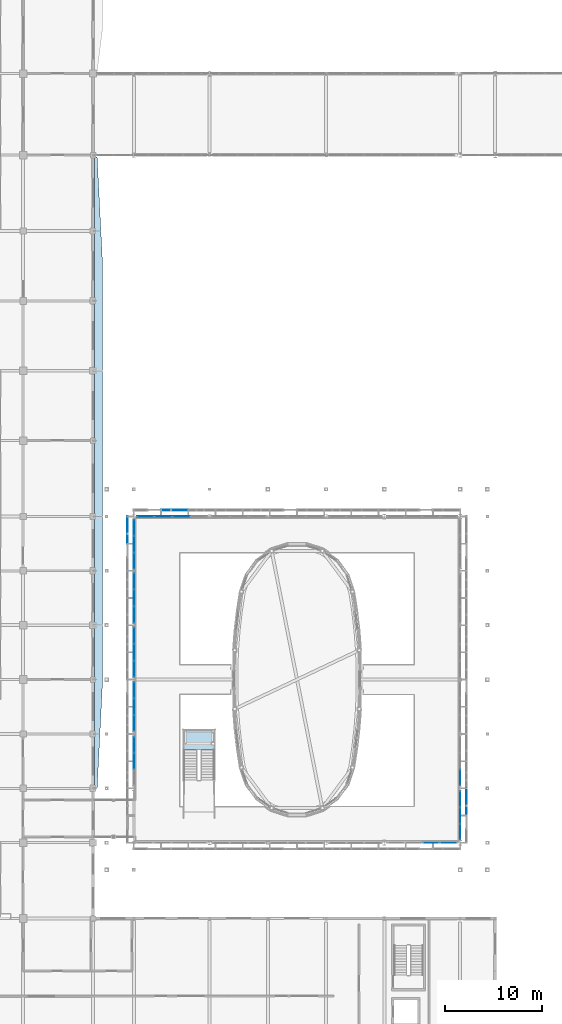
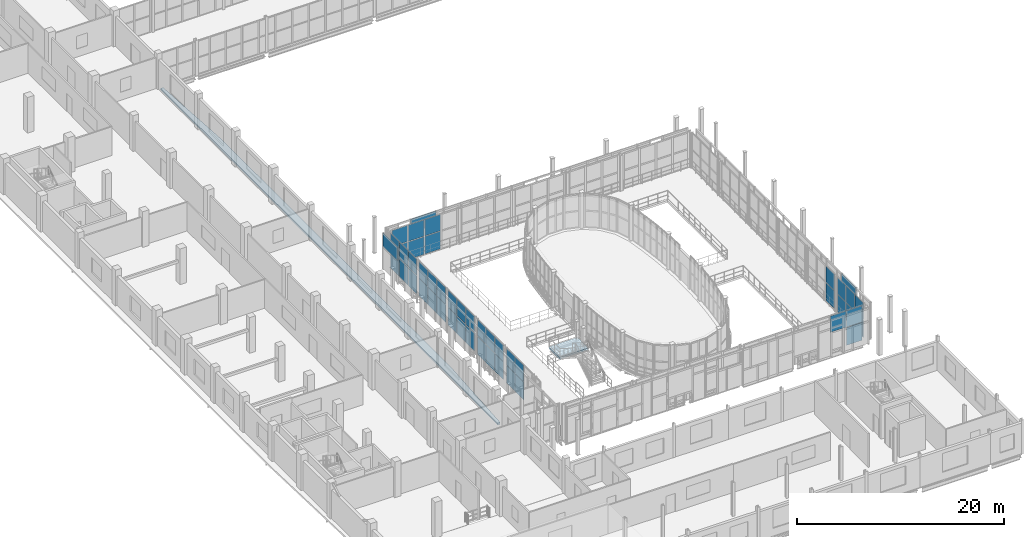
# One storey, part 81 of 121: 48 plates, 2 slabs, 10 elements without a shape of their own.
"""IFC4 building model written with IfcOpenShell, lengths in metres."""

from ifc_helpers import new_model, si_unit, direction, frame, origin, origin_2d, place, context, subcontext, project, spatial, polyline, rectangle, outline, extrude, material, layer, layer_set, type_object, element, aggregate, save


model = new_model("IFC4")

# Units and contexts
model_context = context("Model", 3, precision=1e-05, world=origin(), true_north=direction((0.0, 1.0)))
body_context = subcontext(model_context, "Body", "Model", "MODEL_VIEW")
ifc_project = project(units=[si_unit("LENGTHUNIT", "METRE"), si_unit("AREAUNIT", "SQUARE_METRE"), si_unit("VOLUMEUNIT", "CUBIC_METRE"), si_unit("PLANEANGLEUNIT", "RADIAN"), si_unit("MASSUNIT", "GRAM", prefix="KILO")], contexts=[model_context])

# Site, building, storey
site_placement = place(None, origin())
site = spatial("IfcSite", under=ifc_project, at=site_placement, CompositionType="ELEMENT")
building_placement = place(site_placement, origin())
building = spatial("IfcBuilding", under=site, at=building_placement, Name="Vinh Khe Railworks Police Headquarters", CompositionType="ELEMENT")
storey_placement = place(building_placement, frame((0.0, 0.0, 4.800048828125)))
storey = spatial("IfcBuildingStorey", under=building, at=storey_placement, Name="L01", CompositionType="ELEMENT", Elevation=4.800048828125)

# Slab
ifc_material_1 = material(Name="Concrete C35/45 (B35)", Category="concrete")
ifc_layer_1 = layer(ifc_material_1, 0.199951171875)
ifc_layer_set_1 = layer_set([ifc_layer_1], Name="Concrete C35/45 (B35)")
slab_type_1 = type_object("IfcSlabType", Name="Flat Structural Roof Slab 200", PredefinedType="ROOF", material=ifc_layer_set_1)
slab_1_placement = place(storey_placement, frame((0.0, 0.0, -0.239990234375)))
element("IfcSlab", 1, at=slab_1_placement, inside=storey, type_object=slab_type_1, Name="Monsoon Window Eyebrow Hood V5E (L01)", PredefinedType="ROOF", context=body_context, shape_type="SweptSolid", body=[
    extrude(outline(polyline([(22.340087890625, 30.800048828125), (22.62353515625, 30.800048828125), (23.14990234375, 41.199951171875), (23.14990234375, 85.39990234375), (22.62353515625, 95.800048828125), (22.340087890625, 95.800048828125), (22.340087890625, 30.800048828125)])), origin(), (0.0, 0.0, 1.0), 0.199951171875),
])

# Curtain wall, plates
ifc_material_2 = material(Name="Anodised aluminium and low-iron glass", Category="aluminium")
ifc_layer_2 = layer(ifc_material_2, 0.179931640625)
ifc_layer_set_2 = layer_set([ifc_layer_2], Name="Anodised aluminium and low-iron glass")
curtain_wall_type = type_object("IfcCurtainWallType", Name="CW-CUBE-UNIT", PredefinedType="USERDEFINED", material=ifc_layer_set_2)
curtain_wall_1_placement = place(storey_placement, origin())
curtain_wall_1 = element("IfcCurtainWall", 2, at=curtain_wall_1_placement, inside=storey, type_object=curtain_wall_type, Name="Entrance Hall Curtain Wall L01 S-5", ObjectType="UNITISED GLAZING", PredefinedType="USERDEFINED")
ifc_material_3 = material(Name="Low-iron laminated solar-control glass", Category="glass")
ifc_layer_3 = layer(ifc_material_3, 0.028076171875)
ifc_layer_set_3 = layer_set([ifc_layer_3], Name="Low-iron laminated solar-control glass")
plate_type_1 = type_object("IfcPlateType", Name="PAN-GLZ-28", PredefinedType="CURTAIN_PANEL", material=ifc_layer_set_3)
plate_1_placement = place(storey_placement, frame((57.0087890625, 25.199951171875, 2.21923828125), z_axis=(0.0, 0.0, 1.0), x_axis=(1.0, 0.0, 0.0)))
plate_1 = element("IfcPlate", 3, at=plate_1_placement, type_object=plate_type_1, Name="CW-01 panel 3.2", PredefinedType="CURTAIN_PANEL", context=body_context, shape_type="SweptSolid", body=[
    extrude(rectangle(XDim=1.74755859375, YDim=0.028076171875, at=origin_2d()), origin(), (0.0, 0.0, 1.0), 1.910888671875),
])
plate_2_placement = place(storey_placement, frame((58.808837890625, 25.199951171875, 0.06982421875), z_axis=(0.0, 0.0, 1.0), x_axis=(1.0, 0.0, 0.0)))
plate_2 = element("IfcPlate", 4, at=plate_2_placement, type_object=plate_type_1, Name="CW-01 panel 4.1", PredefinedType="CURTAIN_PANEL", context=body_context, shape_type="SweptSolid", body=[
    extrude(rectangle(XDim=1.71240234375, YDim=0.028076171875, at=origin_2d()), origin(), (0.0, 0.0, 1.0), 2.0791015625),
])
plate_3_placement = place(storey_placement, frame((58.808837890625, 25.199951171875, 2.21923828125), z_axis=(0.0, 0.0, 1.0), x_axis=(1.0, 0.0, 0.0)))
plate_3 = element("IfcPlate", 5, at=plate_3_placement, type_object=plate_type_1, Name="CW-01 panel 4.2", PredefinedType="CURTAIN_PANEL", context=body_context, shape_type="SweptSolid", body=[
    extrude(rectangle(XDim=1.71240234375, YDim=0.028076171875, at=origin_2d()), origin(), (0.0, 0.0, 1.0), 1.910888671875),
])
aggregate(curtain_wall_1, [plate_1, plate_2, plate_3])

curtain_wall_2_placement = place(storey_placement, origin())
curtain_wall_2 = element("IfcCurtainWall", 6, at=curtain_wall_2_placement, inside=storey, type_object=curtain_wall_type, Name="Entrance Hall Curtain Wall L01 N-1", ObjectType="UNITISED GLAZING", PredefinedType="USERDEFINED")
plate_4_placement = place(storey_placement, frame((27.60302734375, 58.800048828125, 0.06982421875), z_axis=(0.0, 0.0, 1.0), x_axis=(1.0, 0.0, 0.0)))
plate_4 = element("IfcPlate", 7, at=plate_4_placement, type_object=plate_type_1, Name="CW-01 panel 1.1", PredefinedType="CURTAIN_PANEL", context=body_context, shape_type="SweptSolid", body=[
    extrude(rectangle(XDim=1.736328125, YDim=0.028076171875, at=origin_2d()), origin(), (0.0, 0.0, 1.0), 2.0791015625),
])
plate_5_placement = place(storey_placement, frame((27.60302734375, 58.800048828125, 2.21923828125), z_axis=(0.0, 0.0, 1.0), x_axis=(1.0, 0.0, 0.0)))
plate_5 = element("IfcPlate", 8, at=plate_5_placement, type_object=plate_type_1, Name="CW-01 panel 1.2", PredefinedType="CURTAIN_PANEL", context=body_context, shape_type="SweptSolid", body=[
    extrude(rectangle(XDim=1.736328125, YDim=0.028076171875, at=origin_2d()), origin(), (0.0, 0.0, 1.0), 1.910888671875),
])
plate_6_placement = place(storey_placement, frame((29.4267578125, 58.800048828125, 0.06982421875), z_axis=(0.0, 0.0, 1.0), x_axis=(1.0, 0.0, 0.0)))
plate_6 = element("IfcPlate", 9, at=plate_6_placement, type_object=plate_type_1, Name="CW-01 panel 2.1", PredefinedType="CURTAIN_PANEL", context=body_context, shape_type="SweptSolid", body=[
    extrude(rectangle(XDim=1.771240234375, YDim=0.028076171875, at=origin_2d()), origin(), (0.0, 0.0, 1.0), 2.0791015625),
])
plate_7_placement = place(storey_placement, frame((29.4267578125, 58.800048828125, 2.21923828125), z_axis=(0.0, 0.0, 1.0), x_axis=(1.0, 0.0, 0.0)))
plate_7 = element("IfcPlate", 10, at=plate_7_placement, type_object=plate_type_1, Name="CW-01 panel 2.2", PredefinedType="CURTAIN_PANEL", context=body_context, shape_type="SweptSolid", body=[
    extrude(rectangle(XDim=1.771240234375, YDim=0.028076171875, at=origin_2d()), origin(), (0.0, 0.0, 1.0), 1.910888671875),
])
plate_8_placement = place(storey_placement, frame((31.26806640625, 58.800048828125, 0.06982421875), z_axis=(0.0, 0.0, 1.0), x_axis=(1.0, 0.0, 0.0)))
plate_8 = element("IfcPlate", 11, at=plate_8_placement, type_object=plate_type_1, Name="CW-01 panel 3.1", PredefinedType="CURTAIN_PANEL", context=body_context, shape_type="SweptSolid", body=[
    extrude(rectangle(XDim=1.771240234375, YDim=0.028076171875, at=origin_2d()), origin(), (0.0, 0.0, 1.0), 2.0791015625),
])
plate_9_placement = place(storey_placement, frame((31.26806640625, 58.800048828125, 2.21923828125), z_axis=(0.0, 0.0, 1.0), x_axis=(1.0, 0.0, 0.0)))
plate_9 = element("IfcPlate", 12, at=plate_9_placement, type_object=plate_type_1, Name="CW-01 panel 3.2", PredefinedType="CURTAIN_PANEL", context=body_context, shape_type="SweptSolid", body=[
    extrude(rectangle(XDim=1.771240234375, YDim=0.028076171875, at=origin_2d()), origin(), (0.0, 0.0, 1.0), 1.910888671875),
])
aggregate(curtain_wall_2, [plate_4, plate_5, plate_6, plate_7, plate_8, plate_9])

curtain_wall_3_placement = place(storey_placement, origin())
curtain_wall_3 = element("IfcCurtainWall", 13, at=curtain_wall_3_placement, inside=storey, type_object=curtain_wall_type, Name="Entrance Hall Curtain Wall L01 E-1", ObjectType="UNITISED GLAZING", PredefinedType="USERDEFINED")
plate_10_placement = place(storey_placement, frame((60.0, 26.331787109375, 0.06982421875), z_axis=(0.0, 0.0, 1.0), x_axis=(0.0, 1.0, 0.0)))
plate_10 = element("IfcPlate", 14, at=plate_10_placement, type_object=plate_type_1, Name="CW-01 panel 1.1", PredefinedType="CURTAIN_PANEL", context=body_context, shape_type="SweptSolid", body=[
    extrude(rectangle(XDim=1.59326171875, YDim=0.028076171875, at=origin_2d()), origin(), (0.0, 0.0, 1.0), 2.0791015625),
])
plate_11_placement = place(storey_placement, frame((60.0, 26.331787109375, 2.21923828125), z_axis=(0.0, 0.0, 1.0), x_axis=(0.0, 1.0, 0.0)))
plate_11 = element("IfcPlate", 15, at=plate_11_placement, type_object=plate_type_1, Name="CW-01 panel 1.2", PredefinedType="CURTAIN_PANEL", context=body_context, shape_type="SweptSolid", body=[
    extrude(rectangle(XDim=1.59326171875, YDim=0.028076171875, at=origin_2d()), origin(), (0.0, 0.0, 1.0), 1.910888671875),
])
plate_12_placement = place(storey_placement, frame((60.0, 28.012451171875, 0.06982421875), z_axis=(0.0, 0.0, 1.0), x_axis=(0.0, 1.0, 0.0)))
plate_12 = element("IfcPlate", 16, at=plate_12_placement, type_object=plate_type_1, Name="CW-01 panel 2.1", PredefinedType="CURTAIN_PANEL", context=body_context, shape_type="SweptSolid", body=[
    extrude(rectangle(XDim=1.62841796875, YDim=0.028076171875, at=origin_2d()), origin(), (0.0, 0.0, 1.0), 2.0791015625),
])
plate_13_placement = place(storey_placement, frame((60.0, 28.012451171875, 2.21923828125), z_axis=(0.0, 0.0, 1.0), x_axis=(0.0, 1.0, 0.0)))
plate_13 = element("IfcPlate", 17, at=plate_13_placement, type_object=plate_type_1, Name="CW-01 panel 2.2", PredefinedType="CURTAIN_PANEL", context=body_context, shape_type="SweptSolid", body=[
    extrude(rectangle(XDim=1.62841796875, YDim=0.028076171875, at=origin_2d()), origin(), (0.0, 0.0, 1.0), 1.910888671875),
])
plate_14_placement = place(storey_placement, frame((60.0, 29.693359375, 0.06982421875), z_axis=(0.0, 0.0, 1.0), x_axis=(0.0, 1.0, 0.0)))
plate_14 = element("IfcPlate", 18, at=plate_14_placement, type_object=plate_type_1, Name="CW-01 panel 3.1", PredefinedType="CURTAIN_PANEL", context=body_context, shape_type="SweptSolid", body=[
    extrude(rectangle(XDim=1.59326171875, YDim=0.028076171875, at=origin_2d()), origin(), (0.0, 0.0, 1.0), 2.0791015625),
])
plate_15_placement = place(storey_placement, frame((60.0, 29.693359375, 2.21923828125), z_axis=(0.0, 0.0, 1.0), x_axis=(0.0, 1.0, 0.0)))
plate_15 = element("IfcPlate", 19, at=plate_15_placement, type_object=plate_type_1, Name="CW-01 panel 3.2", PredefinedType="CURTAIN_PANEL", context=body_context, shape_type="SweptSolid", body=[
    extrude(rectangle(XDim=1.59326171875, YDim=0.028076171875, at=origin_2d()), origin(), (0.0, 0.0, 1.0), 1.910888671875),
])
aggregate(curtain_wall_3, [plate_10, plate_11, plate_12, plate_13, plate_14, plate_15])

curtain_wall_4_placement = place(storey_placement, origin())
curtain_wall_4 = element("IfcCurtainWall", 20, at=curtain_wall_4_placement, inside=storey, type_object=curtain_wall_type, Name="Entrance Hall Curtain Wall L01 E-2", ObjectType="UNITISED GLAZING", PredefinedType="USERDEFINED")
plate_16_placement = place(storey_placement, frame((60.0, 31.9150390625, 0.06982421875), z_axis=(0.0, 0.0, 1.0), x_axis=(0.0, 1.0, 0.0)))
plate_16 = element("IfcPlate", 21, at=plate_16_placement, type_object=plate_type_1, Name="CW-01 panel 1.1", PredefinedType="CURTAIN_PANEL", context=body_context, shape_type="SweptSolid", body=[
    extrude(rectangle(XDim=1.610107421875, YDim=0.028076171875, at=origin_2d()), origin(), (0.0, 0.0, 1.0), 2.0791015625),
])
plate_17_placement = place(storey_placement, frame((60.0, 31.9150390625, 2.21923828125), z_axis=(0.0, 0.0, 1.0), x_axis=(0.0, 1.0, 0.0)))
plate_17 = element("IfcPlate", 22, at=plate_17_placement, type_object=plate_type_1, Name="CW-01 panel 1.2", PredefinedType="CURTAIN_PANEL", context=body_context, shape_type="SweptSolid", body=[
    extrude(rectangle(XDim=1.610107421875, YDim=0.028076171875, at=origin_2d()), origin(), (0.0, 0.0, 1.0), 1.910888671875),
])
aggregate(curtain_wall_4, [plate_16, plate_17])

curtain_wall_5_placement = place(storey_placement, origin())
curtain_wall_5 = element("IfcCurtainWall", 23, at=curtain_wall_5_placement, inside=storey, type_object=curtain_wall_type, Name="Entrance Hall Curtain Wall L01 W-2", ObjectType="UNITISED GLAZING", PredefinedType="USERDEFINED")
plate_18_placement = place(storey_placement, frame((26.39990234375, 33.612548828125, 0.06982421875), z_axis=(0.0, 0.0, 1.0), x_axis=(0.0, 1.0, 0.0)))
plate_18 = element("IfcPlate", 24, at=plate_18_placement, type_object=plate_type_1, Name="CW-01 panel 2.1", PredefinedType="CURTAIN_PANEL", context=body_context, shape_type="SweptSolid", body=[
    extrude(rectangle(XDim=1.62841796875, YDim=0.028076171875, at=origin_2d()), origin(), (0.0, 0.0, 1.0), 2.0791015625),
])
plate_19_placement = place(storey_placement, frame((26.39990234375, 33.612548828125, 2.21923828125), z_axis=(0.0, 0.0, 1.0), x_axis=(0.0, 1.0, 0.0)))
plate_19 = element("IfcPlate", 25, at=plate_19_placement, type_object=plate_type_1, Name="CW-01 panel 2.2", PredefinedType="CURTAIN_PANEL", context=body_context, shape_type="SweptSolid", body=[
    extrude(rectangle(XDim=1.62841796875, YDim=0.028076171875, at=origin_2d()), origin(), (0.0, 0.0, 1.0), 1.910888671875),
])
plate_20_placement = place(storey_placement, frame((26.39990234375, 35.293212890625, 0.06982421875), z_axis=(0.0, 0.0, 1.0), x_axis=(0.0, 1.0, 0.0)))
plate_20 = element("IfcPlate", 26, at=plate_20_placement, type_object=plate_type_1, Name="CW-01 panel 3.1", PredefinedType="CURTAIN_PANEL", context=body_context, shape_type="SweptSolid", body=[
    extrude(rectangle(XDim=1.59326171875, YDim=0.028076171875, at=origin_2d()), origin(), (0.0, 0.0, 1.0), 2.0791015625),
])
plate_21_placement = place(storey_placement, frame((26.39990234375, 35.293212890625, 2.21923828125), z_axis=(0.0, 0.0, 1.0), x_axis=(0.0, 1.0, 0.0)))
plate_21 = element("IfcPlate", 27, at=plate_21_placement, type_object=plate_type_1, Name="CW-01 panel 3.2", PredefinedType="CURTAIN_PANEL", context=body_context, shape_type="SweptSolid", body=[
    extrude(rectangle(XDim=1.59326171875, YDim=0.028076171875, at=origin_2d()), origin(), (0.0, 0.0, 1.0), 1.910888671875),
])
aggregate(curtain_wall_5, [plate_18, plate_19, plate_20, plate_21])

curtain_wall_6_placement = place(storey_placement, origin())
curtain_wall_6 = element("IfcCurtainWall", 28, at=curtain_wall_6_placement, inside=storey, type_object=curtain_wall_type, Name="Entrance Hall Curtain Wall L01 W-3", ObjectType="UNITISED GLAZING", PredefinedType="USERDEFINED")
plate_22_placement = place(storey_placement, frame((26.39990234375, 37.514892578125, 0.06982421875), z_axis=(0.0, 0.0, 1.0), x_axis=(0.0, 1.0, 0.0)))
plate_22 = element("IfcPlate", 29, at=plate_22_placement, type_object=plate_type_1, Name="CW-01 panel 1.1", PredefinedType="CURTAIN_PANEL", context=body_context, shape_type="SweptSolid", body=[
    extrude(rectangle(XDim=1.610107421875, YDim=0.028076171875, at=origin_2d()), origin(), (0.0, 0.0, 1.0), 2.0791015625),
])
plate_23_placement = place(storey_placement, frame((26.39990234375, 37.514892578125, 2.21923828125), z_axis=(0.0, 0.0, 1.0), x_axis=(0.0, 1.0, 0.0)))
plate_23 = element("IfcPlate", 30, at=plate_23_placement, type_object=plate_type_1, Name="CW-01 panel 1.2", PredefinedType="CURTAIN_PANEL", context=body_context, shape_type="SweptSolid", body=[
    extrude(rectangle(XDim=1.610107421875, YDim=0.028076171875, at=origin_2d()), origin(), (0.0, 0.0, 1.0), 1.910888671875),
])
plate_24_placement = place(storey_placement, frame((26.39990234375, 39.21240234375, 0.06982421875), z_axis=(0.0, 0.0, 1.0), x_axis=(0.0, 1.0, 0.0)))
plate_24 = element("IfcPlate", 31, at=plate_24_placement, type_object=plate_type_1, Name="CW-01 panel 2.1", PredefinedType="CURTAIN_PANEL", context=body_context, shape_type="SweptSolid", body=[
    extrude(rectangle(XDim=1.64501953125, YDim=0.028076171875, at=origin_2d()), origin(), (0.0, 0.0, 1.0), 2.0791015625),
])
plate_25_placement = place(storey_placement, frame((26.39990234375, 39.21240234375, 2.21923828125), z_axis=(0.0, 0.0, 1.0), x_axis=(0.0, 1.0, 0.0)))
plate_25 = element("IfcPlate", 32, at=plate_25_placement, type_object=plate_type_1, Name="CW-01 panel 2.2", PredefinedType="CURTAIN_PANEL", context=body_context, shape_type="SweptSolid", body=[
    extrude(rectangle(XDim=1.64501953125, YDim=0.028076171875, at=origin_2d()), origin(), (0.0, 0.0, 1.0), 1.910888671875),
])
plate_26_placement = place(storey_placement, frame((26.39990234375, 40.909912109375, 0.06982421875), z_axis=(0.0, 0.0, 1.0), x_axis=(0.0, 1.0, 0.0)))
plate_26 = element("IfcPlate", 33, at=plate_26_placement, type_object=plate_type_1, Name="CW-01 panel 3.1", PredefinedType="CURTAIN_PANEL", context=body_context, shape_type="SweptSolid", body=[
    extrude(rectangle(XDim=1.610107421875, YDim=0.028076171875, at=origin_2d()), origin(), (0.0, 0.0, 1.0), 2.0791015625),
])
plate_27_placement = place(storey_placement, frame((26.39990234375, 40.909912109375, 2.21923828125), z_axis=(0.0, 0.0, 1.0), x_axis=(0.0, 1.0, 0.0)))
plate_27 = element("IfcPlate", 34, at=plate_27_placement, type_object=plate_type_1, Name="CW-01 panel 3.2", PredefinedType="CURTAIN_PANEL", context=body_context, shape_type="SweptSolid", body=[
    extrude(rectangle(XDim=1.610107421875, YDim=0.028076171875, at=origin_2d()), origin(), (0.0, 0.0, 1.0), 1.910888671875),
])
aggregate(curtain_wall_6, [plate_22, plate_23, plate_24, plate_25, plate_26, plate_27])

curtain_wall_7_placement = place(storey_placement, origin())
curtain_wall_7 = element("IfcCurtainWall", 35, at=curtain_wall_7_placement, inside=storey, type_object=curtain_wall_type, Name="Entrance Hall Curtain Wall L01 W-4", ObjectType="UNITISED GLAZING", PredefinedType="USERDEFINED")
plate_28_placement = place(storey_placement, frame((26.39990234375, 43.1015625, 0.06982421875), z_axis=(0.0, 0.0, 1.0), x_axis=(0.0, 1.0, 0.0)))
plate_28 = element("IfcPlate", 36, at=plate_28_placement, type_object=plate_type_1, Name="CW-01 panel 1.1", PredefinedType="CURTAIN_PANEL", context=body_context, shape_type="SweptSolid", body=[
    extrude(rectangle(XDim=1.63330078125, YDim=0.028076171875, at=origin_2d()), origin(), (0.0, 0.0, 1.0), 2.0791015625),
])
plate_29_placement = place(storey_placement, frame((26.39990234375, 43.1015625, 2.21923828125), z_axis=(0.0, 0.0, 1.0), x_axis=(0.0, 1.0, 0.0)))
plate_29 = element("IfcPlate", 37, at=plate_29_placement, type_object=plate_type_1, Name="CW-01 panel 1.2", PredefinedType="CURTAIN_PANEL", context=body_context, shape_type="SweptSolid", body=[
    extrude(rectangle(XDim=1.63330078125, YDim=0.028076171875, at=origin_2d()), origin(), (0.0, 0.0, 1.0), 1.910888671875),
])
plate_30_placement = place(storey_placement, frame((26.39990234375, 44.822509765625, 0.06982421875), z_axis=(0.0, 0.0, 1.0), x_axis=(0.0, 1.0, 0.0)))
plate_30 = element("IfcPlate", 38, at=plate_30_placement, type_object=plate_type_1, Name="CW-01 panel 2.1", PredefinedType="CURTAIN_PANEL", context=body_context, shape_type="SweptSolid", body=[
    extrude(rectangle(XDim=1.668212890625, YDim=0.028076171875, at=origin_2d()), origin(), (0.0, 0.0, 1.0), 2.0791015625),
])
plate_31_placement = place(storey_placement, frame((26.39990234375, 44.822509765625, 2.21923828125), z_axis=(0.0, 0.0, 1.0), x_axis=(0.0, 1.0, 0.0)))
plate_31 = element("IfcPlate", 39, at=plate_31_placement, type_object=plate_type_1, Name="CW-01 panel 2.2", PredefinedType="CURTAIN_PANEL", context=body_context, shape_type="SweptSolid", body=[
    extrude(rectangle(XDim=1.668212890625, YDim=0.028076171875, at=origin_2d()), origin(), (0.0, 0.0, 1.0), 1.910888671875),
])
plate_32_placement = place(storey_placement, frame((26.39990234375, 46.543212890625, 0.06982421875), z_axis=(0.0, 0.0, 1.0), x_axis=(0.0, 1.0, 0.0)))
plate_32 = element("IfcPlate", 40, at=plate_32_placement, type_object=plate_type_1, Name="CW-01 panel 3.1", PredefinedType="CURTAIN_PANEL", context=body_context, shape_type="SweptSolid", body=[
    extrude(rectangle(XDim=1.63330078125, YDim=0.028076171875, at=origin_2d()), origin(), (0.0, 0.0, 1.0), 2.0791015625),
])
plate_33_placement = place(storey_placement, frame((26.39990234375, 46.543212890625, 2.21923828125), z_axis=(0.0, 0.0, 1.0), x_axis=(0.0, 1.0, 0.0)))
plate_33 = element("IfcPlate", 41, at=plate_33_placement, type_object=plate_type_1, Name="CW-01 panel 3.2", PredefinedType="CURTAIN_PANEL", context=body_context, shape_type="SweptSolid", body=[
    extrude(rectangle(XDim=1.63330078125, YDim=0.028076171875, at=origin_2d()), origin(), (0.0, 0.0, 1.0), 1.910888671875),
])
aggregate(curtain_wall_7, [plate_28, plate_29, plate_30, plate_31, plate_32, plate_33])

curtain_wall_8_placement = place(storey_placement, origin())
curtain_wall_8 = element("IfcCurtainWall", 42, at=curtain_wall_8_placement, inside=storey, type_object=curtain_wall_type, Name="Entrance Hall Curtain Wall L01 W-5", ObjectType="UNITISED GLAZING", PredefinedType="USERDEFINED")
plate_34_placement = place(storey_placement, frame((26.39990234375, 48.66748046875, 0.06982421875), z_axis=(0.0, 0.0, 1.0), x_axis=(0.0, 1.0, 0.0)))
plate_34 = element("IfcPlate", 43, at=plate_34_placement, type_object=plate_type_1, Name="CW-01 panel 1.1", PredefinedType="CURTAIN_PANEL", context=body_context, shape_type="SweptSolid", body=[
    extrude(rectangle(XDim=1.655029296875, YDim=0.028076171875, at=origin_2d()), origin(), (0.0, 0.0, 1.0), 2.0791015625),
])
plate_35_placement = place(storey_placement, frame((26.39990234375, 48.66748046875, 2.21923828125), z_axis=(0.0, 0.0, 1.0), x_axis=(0.0, 1.0, 0.0)))
plate_35 = element("IfcPlate", 44, at=plate_35_placement, type_object=plate_type_1, Name="CW-01 panel 1.2", PredefinedType="CURTAIN_PANEL", context=body_context, shape_type="SweptSolid", body=[
    extrude(rectangle(XDim=1.655029296875, YDim=0.028076171875, at=origin_2d()), origin(), (0.0, 0.0, 1.0), 1.910888671875),
])
plate_36_placement = place(storey_placement, frame((26.39990234375, 50.409912109375, 0.06982421875), z_axis=(0.0, 0.0, 1.0), x_axis=(0.0, 1.0, 0.0)))
plate_36 = element("IfcPlate", 45, at=plate_36_placement, type_object=plate_type_1, Name="CW-01 panel 2.1", PredefinedType="CURTAIN_PANEL", context=body_context, shape_type="SweptSolid", body=[
    extrude(rectangle(XDim=1.68994140625, YDim=0.028076171875, at=origin_2d()), origin(), (0.0, 0.0, 1.0), 2.0791015625),
])
plate_37_placement = place(storey_placement, frame((26.39990234375, 50.409912109375, 2.21923828125), z_axis=(0.0, 0.0, 1.0), x_axis=(0.0, 1.0, 0.0)))
plate_37 = element("IfcPlate", 46, at=plate_37_placement, type_object=plate_type_1, Name="CW-01 panel 2.2", PredefinedType="CURTAIN_PANEL", context=body_context, shape_type="SweptSolid", body=[
    extrude(rectangle(XDim=1.68994140625, YDim=0.028076171875, at=origin_2d()), origin(), (0.0, 0.0, 1.0), 1.910888671875),
])
plate_38_placement = place(storey_placement, frame((26.39990234375, 52.152587890625, 0.06982421875), z_axis=(0.0, 0.0, 1.0), x_axis=(0.0, 1.0, 0.0)))
plate_38 = element("IfcPlate", 47, at=plate_38_placement, type_object=plate_type_1, Name="CW-01 panel 3.1", PredefinedType="CURTAIN_PANEL", context=body_context, shape_type="SweptSolid", body=[
    extrude(rectangle(XDim=1.655029296875, YDim=0.028076171875, at=origin_2d()), origin(), (0.0, 0.0, 1.0), 2.0791015625),
])
plate_39_placement = place(storey_placement, frame((26.39990234375, 52.152587890625, 2.21923828125), z_axis=(0.0, 0.0, 1.0), x_axis=(0.0, 1.0, 0.0)))
plate_39 = element("IfcPlate", 48, at=plate_39_placement, type_object=plate_type_1, Name="CW-01 panel 3.2", PredefinedType="CURTAIN_PANEL", context=body_context, shape_type="SweptSolid", body=[
    extrude(rectangle(XDim=1.655029296875, YDim=0.028076171875, at=origin_2d()), origin(), (0.0, 0.0, 1.0), 1.910888671875),
])
aggregate(curtain_wall_8, [plate_34, plate_35, plate_36, plate_37, plate_38, plate_39])

curtain_wall_9_placement = place(storey_placement, origin())
curtain_wall_9 = element("IfcCurtainWall", 49, at=curtain_wall_9_placement, inside=storey, type_object=curtain_wall_type, Name="Entrance Hall Curtain Wall L01 W-6", ObjectType="UNITISED GLAZING", PredefinedType="USERDEFINED")
plate_40_placement = place(storey_placement, frame((26.39990234375, 54.231689453125, 0.06982421875), z_axis=(0.0, 0.0, 1.0), x_axis=(0.0, 1.0, 0.0)))
plate_40 = element("IfcPlate", 50, at=plate_40_placement, type_object=plate_type_1, Name="CW-01 panel 1.1", PredefinedType="CURTAIN_PANEL", context=body_context, shape_type="SweptSolid", body=[
    extrude(rectangle(XDim=1.623291015625, YDim=0.028076171875, at=origin_2d()), origin(), (0.0, 0.0, 1.0), 2.0791015625),
])
plate_41_placement = place(storey_placement, frame((26.39990234375, 54.231689453125, 2.21923828125), z_axis=(0.0, 0.0, 1.0), x_axis=(0.0, 1.0, 0.0)))
plate_41 = element("IfcPlate", 51, at=plate_41_placement, type_object=plate_type_1, Name="CW-01 panel 1.2", PredefinedType="CURTAIN_PANEL", context=body_context, shape_type="SweptSolid", body=[
    extrude(rectangle(XDim=1.623291015625, YDim=0.028076171875, at=origin_2d()), origin(), (0.0, 0.0, 1.0), 1.910888671875),
])
plate_42_placement = place(storey_placement, frame((26.39990234375, 55.9423828125, 0.06982421875), z_axis=(0.0, 0.0, 1.0), x_axis=(0.0, 1.0, 0.0)))
plate_42 = element("IfcPlate", 52, at=plate_42_placement, type_object=plate_type_1, Name="CW-01 panel 2.1", PredefinedType="CURTAIN_PANEL", context=body_context, shape_type="SweptSolid", body=[
    extrude(rectangle(XDim=1.658447265625, YDim=0.028076171875, at=origin_2d()), origin(), (0.0, 0.0, 1.0), 2.0791015625),
])
plate_43_placement = place(storey_placement, frame((26.39990234375, 55.9423828125, 2.21923828125), z_axis=(0.0, 0.0, 1.0), x_axis=(0.0, 1.0, 0.0)))
plate_43 = element("IfcPlate", 53, at=plate_43_placement, type_object=plate_type_1, Name="CW-01 panel 2.2", PredefinedType="CURTAIN_PANEL", context=body_context, shape_type="SweptSolid", body=[
    extrude(rectangle(XDim=1.658447265625, YDim=0.028076171875, at=origin_2d()), origin(), (0.0, 0.0, 1.0), 1.910888671875),
])
plate_44_placement = place(storey_placement, frame((26.39990234375, 57.6533203125, 0.06982421875), z_axis=(0.0, 0.0, 1.0), x_axis=(0.0, 1.0, 0.0)))
plate_44 = element("IfcPlate", 54, at=plate_44_placement, type_object=plate_type_1, Name="CW-01 panel 3.1", PredefinedType="CURTAIN_PANEL", context=body_context, shape_type="SweptSolid", body=[
    extrude(rectangle(XDim=1.623291015625, YDim=0.028076171875, at=origin_2d()), origin(), (0.0, 0.0, 1.0), 2.0791015625),
])
plate_45_placement = place(storey_placement, frame((26.39990234375, 57.6533203125, 2.21923828125), z_axis=(0.0, 0.0, 1.0), x_axis=(0.0, 1.0, 0.0)))
plate_45 = element("IfcPlate", 55, at=plate_45_placement, type_object=plate_type_1, Name="CW-01 panel 3.2", PredefinedType="CURTAIN_PANEL", context=body_context, shape_type="SweptSolid", body=[
    extrude(rectangle(XDim=1.623291015625, YDim=0.028076171875, at=origin_2d()), origin(), (0.0, 0.0, 1.0), 1.910888671875),
])
aggregate(curtain_wall_9, [plate_40, plate_41, plate_42, plate_43, plate_44, plate_45])

# Plates
ifc_material_4 = material(Name="Weathered architectural steel", Category="steel")
ifc_layer_4 = layer(ifc_material_4, 0.044921875)
ifc_layer_set_4 = layer_set([ifc_layer_4], Name="Weathered architectural steel")
plate_type_2 = type_object("IfcPlateType", Name="PLT-QP-02", PredefinedType="SHEET", material=ifc_layer_set_4)
for number, where, z_axis, x_axis, name in (
    (56, (30.60009765625, 59.449951171875, 2.60400390625), (0.0, 0.0, 1.0), (1.0, 0.0, 0.0), "Weathered Steel Casement Spandrel N-2"),
    (57, (60.64990234375, 29.39990234375, 2.60400390625), (0.0, 0.0, 1.0), (0.0, 1.0, 0.0), "Weathered Steel Casement Spandrel E-2"),
    (58, (25.75, 57.39990234375, 2.60400390625), (0.0, 0.0, 1.0), (0.0, 1.0, 0.0), "Weathered Steel Casement Spandrel W-12"),
):
    element("IfcPlate", number, at=place(storey_placement, frame(where, z_axis=z_axis, x_axis=x_axis)), inside=storey, type_object=plate_type_2, Name=name, PredefinedType="SHEET", context=body_context, shape_type="SweptSolid", body=[
        extrude(rectangle(XDim=2.800048828125, YDim=0.044921875, at=origin_2d()), origin(), (0.0, 0.0, 1.0), 1.595947265625),
    ])

# Stair, slab
ifc_material_5 = material(Name="Steel S355JR", Category="steel")
stair_type = type_object("IfcStairType", Name="ST-HALL-FEATURE", PredefinedType="HALF_TURN_STAIR", material=ifc_material_5)
stair_placement = place(storey_placement, origin())
stair = element("IfcStair", 59, at=stair_placement, inside=storey, type_object=stair_type, Name="L01 Concourse Feature Stair ST-08", PredefinedType="HALF_TURN_STAIR")
ifc_layer_5 = layer(ifc_material_1, 0.199951171875)
ifc_layer_set_5 = layer_set([ifc_layer_5], Name="Concrete C35/45 (B35)")
slab_type_2 = type_object("IfcSlabType", Name="SLB-LAND-200", PredefinedType="LANDING", material=ifc_layer_set_5)
slab_2_placement = place(storey_placement, frame((0.0, 0.0, 1.89990234375)))
slab_2 = element("IfcSlab", 60, at=slab_2_placement, type_object=slab_type_2, Name="ST-08 landing 1", PredefinedType="LANDING", context=body_context, shape_type="SweptSolid", body=[
    extrude(outline(polyline([(34.699951171875, 34.72998046875), (34.699951171875, 36.800048828125), (31.5, 36.800048828125), (31.5, 34.72998046875), (34.699951171875, 34.72998046875)])), origin(), (0.0, 0.0, 1.0), 0.199951171875),
])
aggregate(stair, [slab_2])

save(model, "model.ifc")
